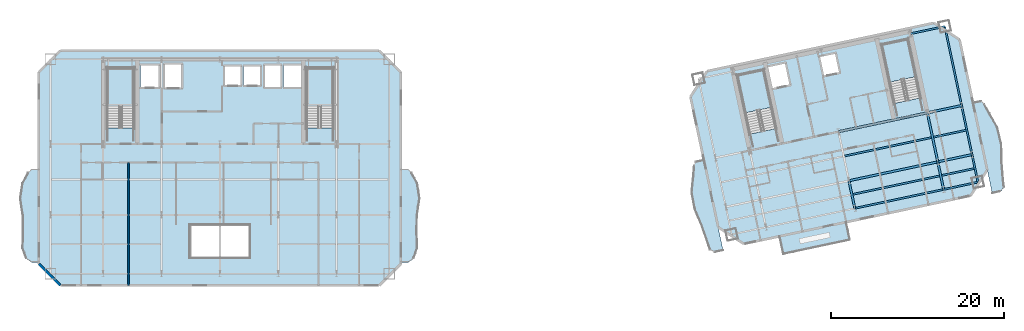
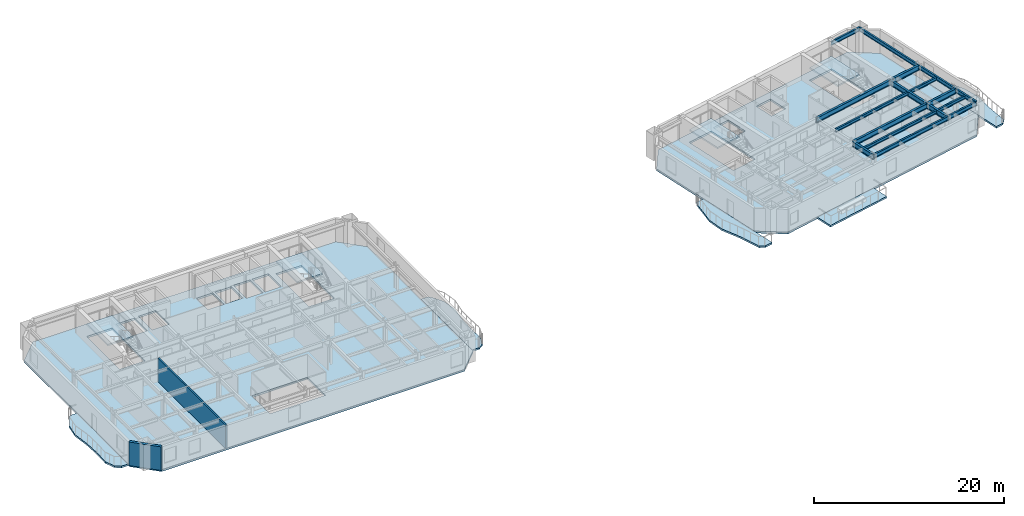
# One storey, part 4 of 13: 17 beams, 11 slabs, 2 walls, 4 elements without a shape of their own.
"""IFC4 building model written with IfcOpenShell, lengths in metres."""

from ifc_helpers import new_model, si_unit, direction, frame, frame_2d, origin, origin_2d, place, context, subcontext, project, spatial, polyline, rectangle, i_section, outline, extrude, material, layer, layer_set, material_profile, profile_set, type_object, element, aggregate, save


model = new_model("IFC4")

# Units and contexts
model_context = context("Model", 3, precision=1e-05, world=origin(), true_north=direction((0.0, 1.0)))
body_context = subcontext(model_context, "Body", "Model", "MODEL_VIEW")
ifc_project = project(units=[si_unit("LENGTHUNIT", "METRE"), si_unit("AREAUNIT", "SQUARE_METRE"), si_unit("VOLUMEUNIT", "CUBIC_METRE"), si_unit("PLANEANGLEUNIT", "RADIAN"), si_unit("MASSUNIT", "GRAM", prefix="KILO")], contexts=[model_context])

# Site, building, storey
site_placement = place(None, origin())
site = spatial("IfcSite", under=ifc_project, at=site_placement, CompositionType="ELEMENT")
building_placement = place(site_placement, origin())
building = spatial("IfcBuilding", under=site, at=building_placement, Name="Haevon Station Towers", CompositionType="ELEMENT")
storey_placement = place(building_placement, frame((0.0, 0.0, 159.300048828125)))
storey = spatial("IfcBuildingStorey", under=building, at=storey_placement, Name="L43", CompositionType="ELEMENT", Elevation=159.300048828125)

# Beams
ifc_material_1 = material(Name="Steel S355", Category="steel")
ifc_material_profile_1 = material_profile(ifc_material_1, i_section(OverallWidth=0.25, OverallDepth=0.64990234375, WebThickness=0.012939453125, FlangeThickness=0.02197265625, at=origin_2d()), Name="H-650x250x13x22")
ifc_profile_set_1 = profile_set([ifc_material_profile_1], Name="Steel S355")
beam_type_1 = type_object("IfcBeamType", Name="BM-G650", PredefinedType="BEAM", material=ifc_profile_set_1)
beam_1_placement = place(storey_placement, frame((110.228759765625, 33.9521484375, 2.724853515625), z_axis=(0.978146794194, 0.207915485254, 0.0), x_axis=(-0.207915485254, 0.978146794194, 0.0)))
element("IfcBeam", 1, at=beam_1_placement, inside=storey, type_object=beam_type_1, Name="BM-T2U-L43-02-03", PredefinedType="BEAM", context=body_context, shape_type="SweptSolid", body=[
    extrude(i_section(OverallWidth=0.25, OverallDepth=0.64990234375, WebThickness=0.012939453125, FlangeThickness=0.02197265625, at=origin_2d()), origin(), (0.0, 0.0, 1.0), 10.5),
])
beam_2_placement = place(storey_placement, frame((120.499267578125, 36.13525390625, 2.724853515625), z_axis=(0.978149504816, 0.207902732613, 0.0), x_axis=(-0.207902732613, 0.978149504816, 0.0)))
element("IfcBeam", 2, at=beam_2_placement, inside=storey, type_object=beam_type_1, Name="BM-T2U-L43-02-04", PredefinedType="BEAM", context=body_context, shape_type="SweptSolid", body=[
    extrude(i_section(OverallWidth=0.25, OverallDepth=0.64990234375, WebThickness=0.012939453125, FlangeThickness=0.02197265625, at=origin_2d()), origin(), (0.0, 0.0, 1.0), 4.050048828125),
])
beam_3_placement = place(storey_placement, frame((109.02294921875, 39.62548828125, 2.724853515625), z_axis=(0.978146794194, 0.207915485254, 0.0), x_axis=(-0.207915485254, 0.978146794194, 0.0)))
element("IfcBeam", 3, at=beam_3_placement, inside=storey, type_object=beam_type_1, Name="BM-T2U-L43-03-03", PredefinedType="BEAM", context=body_context, shape_type="SweptSolid", body=[
    extrude(i_section(OverallWidth=0.25, OverallDepth=0.64990234375, WebThickness=0.012939453125, FlangeThickness=0.02197265625, at=origin_2d()), origin(), (0.0, 0.0, 1.0), 10.5),
])
beam_4_placement = place(storey_placement, frame((119.29345703125, 41.80859375, 2.724853515625), z_axis=(0.978146899108, 0.207914991681, 0.0), x_axis=(-0.207914991681, 0.978146899108, 0.0)))
element("IfcBeam", 4, at=beam_4_placement, inside=storey, type_object=beam_type_1, Name="BM-T2U-L43-03-04", PredefinedType="BEAM", context=body_context, shape_type="SweptSolid", body=[
    extrude(i_section(OverallWidth=0.25, OverallDepth=0.64990234375, WebThickness=0.012939453125, FlangeThickness=0.02197265625, at=origin_2d()), origin(), (0.0, 0.0, 1.0), 4.050048828125),
])
for number, where, z_axis, x_axis, name in (
    (5, (110.906494140625, 30.763427734375, 2.724853515625), (-0.207897270364, 0.978150665785, 0.0), (-0.978150665785, -0.207897270364, 0.0), "BM-T2V-L43-03-01"),
    (6, (121.17724609375, 32.946533203125, 2.724853515625), (-0.207968922755, 0.97813543396, 0.0), (-0.97813543396, -0.207968922755, 0.0), "BM-T2V-L43-04-01"),
):
    element("IfcBeam", number, at=place(storey_placement, frame(where, z_axis=z_axis, x_axis=x_axis)), inside=storey, type_object=beam_type_1, Name=name, PredefinedType="BEAM", context=body_context, shape_type="SweptSolid", body=[
        extrude(i_section(OverallWidth=0.25, OverallDepth=0.64990234375, WebThickness=0.012939453125, FlangeThickness=0.02197265625, at=origin_2d()), origin(), (0.0, 0.0, 1.0), 3.260009765625),
    ])
beam_5_placement = place(storey_placement, frame((120.499267578125, 36.13525390625, 2.724853515625), z_axis=(-0.207896009217, 0.97815093383, 0.0), x_axis=(-0.97815093383, -0.207896009217, 0.0)))
element("IfcBeam", 7, at=beam_5_placement, inside=storey, type_object=beam_type_1, Name="BM-T2V-L43-04-02", PredefinedType="BEAM", context=body_context, shape_type="SweptSolid", body=[
    extrude(i_section(OverallWidth=0.25, OverallDepth=0.64990234375, WebThickness=0.012939453125, FlangeThickness=0.02197265625, at=origin_2d()), origin(), (0.0, 0.0, 1.0), 5.800048828125),
])
ifc_material_profile_2 = material_profile(ifc_material_1, i_section(OverallWidth=0.199951171875, OverallDepth=0.39990234375, WebThickness=0.008056640625, FlangeThickness=0.012939453125, at=origin_2d()), Name="H-400x200x8x13")
ifc_profile_set_2 = profile_set([ifc_material_profile_2], Name="Steel S355")
beam_type_2 = type_object("IfcBeamType", Name="BM-J400", PredefinedType="JOIST", material=ifc_profile_set_2)
beam_6_placement = place(storey_placement, frame((110.67529296875, 32.380615234375, 2.849853515625), z_axis=(0.978145509903, 0.207921527161, 0.0), x_axis=(-0.207921527161, 0.978145509903, 0.0)))
element("IfcBeam", 8, at=beam_6_placement, inside=storey, type_object=beam_type_2, Name="BM-T2J-L43-01-03", PredefinedType="JOIST", context=body_context, shape_type="SweptSolid", body=[
    extrude(i_section(OverallWidth=0.199951171875, OverallDepth=0.39990234375, WebThickness=0.008056640625, FlangeThickness=0.012939453125, at=origin_2d()), origin(), (0.0, 0.0, 1.0), 10.280029296875),
])
beam_7_placement = place(storey_placement, frame((120.94580078125, 34.563720703125, 2.849853515625), z_axis=(0.97814345794, 0.207931180176, 0.0), x_axis=(-0.207931180176, 0.97814345794, 0.0)))
element("IfcBeam", 9, at=beam_7_placement, inside=storey, type_object=beam_type_2, Name="BM-T2J-L43-01-04", PredefinedType="JOIST", context=body_context, shape_type="SweptSolid", body=[
    extrude(i_section(OverallWidth=0.199951171875, OverallDepth=0.39990234375, WebThickness=0.008056640625, FlangeThickness=0.012939453125, at=origin_2d()), origin(), (0.0, 0.0, 1.0), 3.830078125),
])
beam_8_placement = place(storey_placement, frame((109.7333984375, 36.811767578125, 2.849853515625), z_axis=(0.978150339653, 0.207898804801, 0.0), x_axis=(-0.207898804801, 0.978150339653, 0.0)))
element("IfcBeam", 10, at=beam_8_placement, inside=storey, type_object=beam_type_2, Name="BM-T2J-L43-02-03", PredefinedType="JOIST", context=body_context, shape_type="SweptSolid", body=[
    extrude(i_section(OverallWidth=0.199951171875, OverallDepth=0.39990234375, WebThickness=0.008056640625, FlangeThickness=0.012939453125, at=origin_2d()), origin(), (0.0, 0.0, 1.0), 10.280029296875),
])
beam_9_placement = place(storey_placement, frame((120.00390625, 38.994873046875, 2.849853515625), z_axis=(0.978156420772, 0.207870191472, 0.0), x_axis=(-0.207870191472, 0.978156420772, 0.0)))
element("IfcBeam", 11, at=beam_9_placement, inside=storey, type_object=beam_type_2, Name="BM-T2J-L43-02-04", PredefinedType="JOIST", context=body_context, shape_type="SweptSolid", body=[
    extrude(i_section(OverallWidth=0.199951171875, OverallDepth=0.39990234375, WebThickness=0.008056640625, FlangeThickness=0.012939453125, at=origin_2d()), origin(), (0.0, 0.0, 1.0), 3.830078125),
])
ifc_material_profile_3 = material_profile(ifc_material_1, i_section(OverallWidth=0.199951171875, OverallDepth=0.5, WebThickness=0.010009765625, FlangeThickness=0.01611328125, at=origin_2d()), Name="H-500x200x10x16")
ifc_profile_set_3 = profile_set([ifc_material_profile_3], Name="Steel S355")
beam_type_3 = type_object("IfcBeamType", Name="BM-SP500", PredefinedType="SPANDREL", material=ifc_profile_set_3)
beam_10_placement = place(storey_placement, frame((110.906494140625, 30.763427734375, 2.800048828125), z_axis=(0.978147799298, 0.207910756646, 0.0), x_axis=(-0.207910756646, 0.978147799298, 0.0)))
element("IfcBeam", 12, at=beam_10_placement, inside=storey, type_object=beam_type_3, Name="BM-T2U-L43-01-03", PredefinedType="SPANDREL", context=body_context, shape_type="SweptSolid", body=[
    extrude(i_section(OverallWidth=0.199951171875, OverallDepth=0.5, WebThickness=0.010009765625, FlangeThickness=0.01611328125, at=origin_2d()), origin(), (0.0, 0.0, 1.0), 10.500244140625),
])
for number, where, z_axis, x_axis, name in (
    (13, (121.17724609375, 32.946533203125, 2.800048828125), (0.978146899108, 0.207914991681, 0.0), (-0.207914991681, 0.978146899108, 0.0), "BM-T2U-L43-01-04"),
    (14, (117.349365234375, 50.954345703125, 2.800048828125), (0.978149504816, 0.207902732613, 0.0), (-0.207902732613, 0.978149504816, 0.0), "BM-T2U-L43-04-04"),
):
    element("IfcBeam", number, at=place(storey_placement, frame(where, z_axis=z_axis, x_axis=x_axis)), inside=storey, type_object=beam_type_3, Name=name, PredefinedType="SPANDREL", context=body_context, shape_type="SweptSolid", body=[
        extrude(i_section(OverallWidth=0.199951171875, OverallDepth=0.5, WebThickness=0.010009765625, FlangeThickness=0.01611328125, at=origin_2d()), origin(), (0.0, 0.0, 1.0), 4.050048828125),
    ])
beam_11_placement = place(storey_placement, frame((125.138671875, 33.78857421875, 2.800048828125), z_axis=(-0.207897270364, 0.978150665785, 0.0), x_axis=(-0.978150665785, -0.207897270364, 0.0)))
element("IfcBeam", 15, at=beam_11_placement, inside=storey, type_object=beam_type_3, Name="BM-T2V-L43-05-01", PredefinedType="SPANDREL", context=body_context, shape_type="SweptSolid", body=[
    extrude(i_section(OverallWidth=0.199951171875, OverallDepth=0.5, WebThickness=0.010009765625, FlangeThickness=0.01611328125, at=origin_2d()), origin(), (0.0, 0.0, 1.0), 3.260009765625),
])
beam_12_placement = place(storey_placement, frame((124.4609375, 36.977294921875, 2.800048828125), z_axis=(-0.207936282142, 0.978142373363, 0.0), x_axis=(-0.978142373363, -0.207936282142, 0.0)))
element("IfcBeam", 16, at=beam_12_placement, inside=storey, type_object=beam_type_3, Name="BM-T2V-L43-05-02", PredefinedType="SPANDREL", context=body_context, shape_type="SweptSolid", body=[
    extrude(i_section(OverallWidth=0.199951171875, OverallDepth=0.5, WebThickness=0.010009765625, FlangeThickness=0.01611328125, at=origin_2d()), origin(), (0.0, 0.0, 1.0), 5.800048828125),
])
beam_13_placement = place(storey_placement, frame((123.2548828125, 42.650634765625, 2.800048828125), z_axis=(-0.207897167074, 0.978150687738, 0.0), x_axis=(-0.978150687738, -0.207897167074, 0.0)))
element("IfcBeam", 17, at=beam_13_placement, inside=storey, type_object=beam_type_3, Name="BM-T2V-L43-05-03", PredefinedType="SPANDREL", context=body_context, shape_type="SweptSolid", body=[
    extrude(i_section(OverallWidth=0.199951171875, OverallDepth=0.5, WebThickness=0.010009765625, FlangeThickness=0.01611328125, at=origin_2d()), origin(), (0.0, 0.0, 1.0), 9.35009765625),
])

# Slabs
ifc_material_2 = material(Name="Concrete C40/50", Category="concrete")
ifc_layer_1 = layer(ifc_material_2, 0.219970703125)
ifc_layer_set_1 = layer_set([ifc_layer_1], Name="Concrete C40/50")
slab_type_1 = type_object("IfcSlabType", Name="SL-BALC220", PredefinedType="FLOOR", material=ifc_layer_set_1)
slab_1_placement = place(storey_placement, frame((0.0, 0.0, -0.219970703125)))
element("IfcSlab", 18, at=slab_1_placement, inside=storey, type_object=slab_type_1, Name="Tower 1 L43 West SCALLOPED BALCONY", PredefinedType="FLOOR", context=body_context, shape_type="SweptSolid", body=[
    extrude(outline(polyline([(16.570068359375, 35.324951171875), (15.719970703125, 35.324951171875), (15.337158203125, 34.9140625), (14.677734375, 33.743408203125), (14.39111328125, 31.991455078125), (14.6494140625, 29.925048828125), (14.734130859375, 27.8583984375), (14.677734375, 26.106689453125), (15.106689453125, 24.93603515625), (15.719970703125, 24.52490234375), (16.570068359375, 24.52490234375), (16.570068359375, 35.324951171875)])), origin(), (0.0, 0.0, 1.0), 0.219970703125),
])
slab_2_placement = place(storey_placement, frame((0.0, 0.0, -0.219970703125)))
element("IfcSlab", 19, at=slab_2_placement, inside=storey, type_object=slab_type_1, Name="Tower 1 L43 East SCALLOPED BALCONY", PredefinedType="FLOOR", context=body_context, shape_type="SweptSolid", body=[
    extrude(outline(polyline([(58.429931640625, 24.52490234375), (59.280029296875, 24.52490234375), (59.893310546875, 24.93603515625), (60.322265625, 26.106689453125), (60.265869140625, 27.8583984375), (60.3505859375, 29.925048828125), (60.60888671875, 31.991455078125), (60.322265625, 33.743408203125), (59.662841796875, 34.9140625), (59.280029296875, 35.324951171875), (58.429931640625, 35.324951171875), (58.429931640625, 24.52490234375)])), origin(), (0.0, 0.0, 1.0), 0.219970703125),
])
slab_3_placement = place(storey_placement, frame((0.0, 0.0, -0.219970703125)))
element("IfcSlab", 20, at=slab_3_placement, inside=storey, type_object=slab_type_1, Name="Tower 2 L43 West SCALLOPED BALCONY", PredefinedType="FLOOR", context=body_context, shape_type="SweptSolid", body=[
    extrude(outline(polyline([(93.44580078125, 36.41162109375), (92.50927734375, 36.212646484375), (92.3251953125, 35.753173828125), (92.215087890625, 34.532958984375), (92.007568359375, 32.697998046875), (92.3388671875, 30.65576171875), (93.202392578125, 28.7265625), (93.802734375, 27.063232421875), (94.17431640625, 25.9453125), (94.754638671875, 25.6484375), (95.691162109375, 25.84765625), (93.44580078125, 36.41162109375)])), origin(), (0.0, 0.0, 1.0), 0.219970703125),
])
slab_4_placement = place(storey_placement, frame((0.0, 0.0, -0.219970703125)))
element("IfcSlab", 21, at=slab_4_placement, inside=storey, type_object=slab_type_1, Name="Tower 2 L43 East SCALLOPED BALCONY", PredefinedType="FLOOR", context=body_context, shape_type="SweptSolid", body=[
    extrude(outline(polyline([(126.80615234375, 32.461181640625), (127.742431640625, 32.660400390625), (128.15185546875, 33.16748046875), (128.03662109375, 34.33984375), (127.90869140625, 36.103515625), (127.912841796875, 38.21728515625), (127.384765625, 40.217529296875), (126.448974609375, 41.8095703125), (125.85205078125, 42.87939453125), (125.4970703125, 43.224365234375), (124.560546875, 43.025146484375), (126.80615234375, 32.461181640625)])), origin(), (0.0, 0.0, 1.0), 0.219970703125),
])
slab_5_placement = place(storey_placement, frame((0.0, 0.0, -0.219970703125)))
element("IfcSlab", 22, at=slab_5_placement, inside=storey, type_object=slab_type_1, Name="Tower 2 L43 Planted Balcony Band", PredefinedType="FLOOR", context=body_context, shape_type="SweptSolid", body=[
    extrude(outline(polyline([(102.575927734375, 25.465576171875), (110.401123046875, 27.12890625), (109.965576171875, 29.17822265625), (102.140380859375, 27.514892578125), (102.575927734375, 25.465576171875)])), origin(), (0.0, 0.0, 1.0), 0.219970703125),
])

# Stair, slab
stair_type = type_object("IfcStairType", Name="STR-DL1450", PredefinedType="USERDEFINED", material=ifc_material_2)
stair_1_placement = place(storey_placement, origin())
stair_1 = element("IfcStair", 23, at=stair_1_placement, inside=storey, type_object=stair_type, Name="L43 Escape Stair ST1", ObjectType="TWO_RETURN_STAIR", PredefinedType="USERDEFINED")
ifc_layer_2 = layer(ifc_material_2, 0.199951171875)
ifc_layer_set_2 = layer_set([ifc_layer_2], Name="Concrete C40/50")
slab_type_2 = type_object("IfcSlabType", Name="SL-LND200", PredefinedType="LANDING", material=ifc_layer_set_2)
slab_6_placement = place(storey_placement, frame((0.0, 0.0, 1.449951171875)))
slab_6 = element("IfcSlab", 24, at=slab_6_placement, type_object=slab_type_2, Name="L43 ST1 Half Landing 1", PredefinedType="LANDING", context=body_context, shape_type="SweptSolid", body=[
    extrude(outline(polyline([(27.580078125, 42.56396484375), (27.580078125, 47.0), (24.47998046875, 47.0), (24.47998046875, 42.56396484375), (27.580078125, 42.56396484375)])), origin(), (0.0, 0.0, 1.0), 0.199951171875),
])
aggregate(stair_1, [slab_6])

stair_2_placement = place(storey_placement, origin())
stair_2 = element("IfcStair", 25, at=stair_2_placement, inside=storey, type_object=stair_type, Name="L43 Escape Stair ST2", ObjectType="TWO_RETURN_STAIR", PredefinedType="USERDEFINED")
slab_7_placement = place(storey_placement, frame((0.0, 0.0, 1.449951171875)))
slab_7 = element("IfcSlab", 26, at=slab_7_placement, type_object=slab_type_2, Name="L43 ST2 Half Landing 1", PredefinedType="LANDING", context=body_context, shape_type="SweptSolid", body=[
    extrude(outline(polyline([(50.6201171875, 42.56396484375), (50.6201171875, 47.0), (47.52001953125, 47.0), (47.52001953125, 42.56396484375), (50.6201171875, 42.56396484375)])), origin(), (0.0, 0.0, 1.0), 0.199951171875),
])
aggregate(stair_2, [slab_7])

stair_3_placement = place(storey_placement, origin())
stair_3 = element("IfcStair", 27, at=stair_3_placement, inside=storey, type_object=stair_type, Name="L43 Escape Stair ST3", ObjectType="TWO_RETURN_STAIR", PredefinedType="USERDEFINED")
slab_8_placement = place(storey_placement, frame((0.0, 0.0, 1.449951171875)))
slab_8 = element("IfcSlab", 28, at=slab_8_placement, type_object=slab_type_2, Name="L43 ST3 Half Landing 1", PredefinedType="LANDING", context=body_context, shape_type="SweptSolid", body=[
    extrude(outline(polyline([(101.2880859375, 42.44287109375), (100.36572265625, 46.781982421875), (97.33349609375, 46.137451171875), (98.255859375, 41.79833984375), (101.2880859375, 42.44287109375)])), origin(), (0.0, 0.0, 1.0), 0.199951171875),
])
aggregate(stair_3, [slab_8])

stair_4_placement = place(storey_placement, origin())
stair_4 = element("IfcStair", 29, at=stair_4_placement, inside=storey, type_object=stair_type, Name="L43 Escape Stair ST4", ObjectType="TWO_RETURN_STAIR", PredefinedType="USERDEFINED")
slab_9_placement = place(storey_placement, frame((0.0, 0.0, 1.449951171875)))
slab_9 = element("IfcSlab", 30, at=slab_9_placement, type_object=slab_type_2, Name="L43 ST4 Half Landing 1", PredefinedType="LANDING", context=body_context, shape_type="SweptSolid", body=[
    extrude(outline(polyline([(117.975341796875, 45.989990234375), (117.052978515625, 50.328857421875), (114.020751953125, 49.684326171875), (114.943115234375, 45.345458984375), (117.975341796875, 45.989990234375)])), origin(), (0.0, 0.0, 1.0), 0.199951171875),
])
aggregate(stair_4, [slab_9])

# Slabs
ifc_layer_3 = layer(ifc_material_2, 0.25)
ifc_layer_set_3 = layer_set([ifc_layer_3], Name="Concrete C40/50")
slab_type_3 = type_object("IfcSlabType", Name="SL-TW250", PredefinedType="FLOOR", material=ifc_layer_set_3)
slab_10_placement = place(storey_placement, frame((0.0, 0.0, -0.25)))
element("IfcSlab", 31, at=slab_10_placement, inside=storey, type_object=slab_type_3, Name="SL-T1-L43", PredefinedType="FLOOR", context=body_context, shape_type="SweptSolid", body=[
    extrude(outline(polyline([(19.074951171875, 21.85009765625), (55.925048828125, 21.85009765625), (58.425048828125, 24.35009765625), (58.425048828125, 46.5), (55.925048828125, 49.0), (19.074951171875, 49.0), (16.574951171875, 46.5), (16.574951171875, 24.35009765625), (19.074951171875, 21.85009765625)]), holes=[polyline([(27.580078125, 40.055908203125), (27.580078125, 47.0), (24.47998046875, 47.0), (24.47998046875, 40.055908203125), (27.580078125, 40.055908203125)]), polyline([(50.6201171875, 40.055908203125), (50.6201171875, 47.0), (47.52001953125, 47.0), (47.52001953125, 40.055908203125), (50.6201171875, 40.055908203125)]), polyline([(28.300048828125, 44.699951171875), (30.5, 44.699951171875), (30.5, 47.39990234375), (28.300048828125, 47.39990234375), (28.300048828125, 44.699951171875)]), polyline([(31.050048828125, 44.60009765625), (33.14990234375, 44.60009765625), (33.14990234375, 47.5), (31.050048828125, 47.5), (31.050048828125, 44.60009765625)]), polyline([(38.0, 44.89990234375), (40.0, 44.89990234375), (40.0, 47.300048828125), (38.0, 47.300048828125), (38.0, 44.89990234375)]), polyline([(40.25, 44.89990234375), (42.25, 44.89990234375), (42.25, 47.300048828125), (40.25, 47.300048828125), (40.25, 44.89990234375)]), polyline([(42.60009765625, 44.699951171875), (44.60009765625, 44.699951171875), (44.60009765625, 47.39990234375), (42.60009765625, 47.39990234375), (42.60009765625, 44.699951171875)]), polyline([(44.85009765625, 44.699951171875), (46.85009765625, 44.699951171875), (46.85009765625, 47.39990234375), (44.85009765625, 47.39990234375), (44.85009765625, 44.699951171875)]), polyline([(34.10009765625, 25.050048828125), (40.89990234375, 25.050048828125), (40.89990234375, 28.85009765625), (34.10009765625, 28.85009765625), (34.10009765625, 25.050048828125)])]), origin(), (0.0, 0.0, 1.0), 0.25),
])
slab_11_placement = place(storey_placement, frame((0.0, 0.0, -0.25)))
element("IfcSlab", 32, at=slab_11_placement, inside=storey, type_object=slab_type_3, Name="SL-T2-L43", PredefinedType="FLOOR", context=body_context, shape_type="SweptSolid", body=[
    extrude(outline(polyline([(98.080078125, 26.656982421875), (124.29443359375, 32.22900390625), (126.219970703125, 35.194091796875), (123.01611328125, 50.267333984375), (120.051025390625, 52.19287109375), (93.836669921875, 46.620849609375), (91.9111328125, 43.65576171875), (95.114990234375, 28.58251953125), (98.080078125, 26.656982421875)]), holes=[polyline([(101.8095703125, 39.98974609375), (100.36572265625, 46.781982421875), (97.33349609375, 46.137451171875), (98.77734375, 39.34521484375), (101.8095703125, 39.98974609375)]), polyline([(118.496826171875, 43.53662109375), (117.052978515625, 50.328857421875), (114.020751953125, 49.684326171875), (115.464599609375, 42.89208984375), (118.496826171875, 43.53662109375)]), polyline([(101.43212890625, 44.554931640625), (103.486328125, 44.99169921875), (102.9248046875, 47.632568359375), (100.870849609375, 47.196044921875), (101.43212890625, 44.554931640625)]), polyline([(107.259521484375, 45.998046875), (109.2158203125, 46.413818359375), (108.716796875, 48.761474609375), (106.760498046875, 48.345703125), (107.259521484375, 45.998046875)])]), origin(), (0.0, 0.0, 1.0), 0.25),
])

# Walls
ifc_material_3 = material(Name="Gypsum board on steel stud", Category="steel")
ifc_layer_4 = layer(ifc_material_3, 0.179931640625)
ifc_layer_set_4 = layer_set([ifc_layer_4], Name="Gypsum board on steel stud")
wall_type_1 = type_object("IfcWallType", Name="WL-ACU180", PredefinedType="PARTITIONING", material=ifc_layer_set_4)
wall_1_placement = place(storey_placement, frame((26.924072265625, 21.85009765625, 0.0), z_axis=(0.0, 0.0, 1.0), x_axis=(0.0, 1.0, 0.0)))
element("IfcWall", 33, at=wall_1_placement, inside=storey, type_object=wall_type_1, Name="WL-T1PT-L43-12", PredefinedType="PARTITIONING", context=body_context, shape_type="SweptSolid", body=[
    extrude(rectangle(XDim=14.199951171875, YDim=0.179931640625, at=frame_2d((7.10009765625, 0.0))), origin(), (0.0, 0.0, 1.0), 3.030029296875),
])
ifc_material_4 = material(Name="Precast concrete C45/55", Category="concrete")
ifc_layer_5 = layer(ifc_material_4, 0.300048828125)
ifc_layer_set_5 = layer_set([ifc_layer_5], Name="Precast concrete C45/55")
wall_type_2 = type_object("IfcWallType", Name="WL-EXT-PIER300", PredefinedType="SOLIDWALL", material=ifc_layer_set_5)
wall_2_placement = place(storey_placement, frame((19.074951171875, 21.85009765625, 0.0), z_axis=(0.0, 0.0, 1.0), x_axis=(-0.707106781187, 0.707106781187, 0.0)))
element("IfcWall", 34, at=wall_2_placement, inside=storey, type_object=wall_type_2, Name="WL-T1-L43-SWC", PredefinedType="SOLIDWALL", context=body_context, shape_type="SweptSolid", body=[
    extrude(rectangle(XDim=3.53564453125, YDim=0.300048828125, at=frame_2d((1.767822265625, 0.0))), origin(), (0.0, 0.0, 1.0), 3.030029296875),
])

save(model, "model.ifc")
